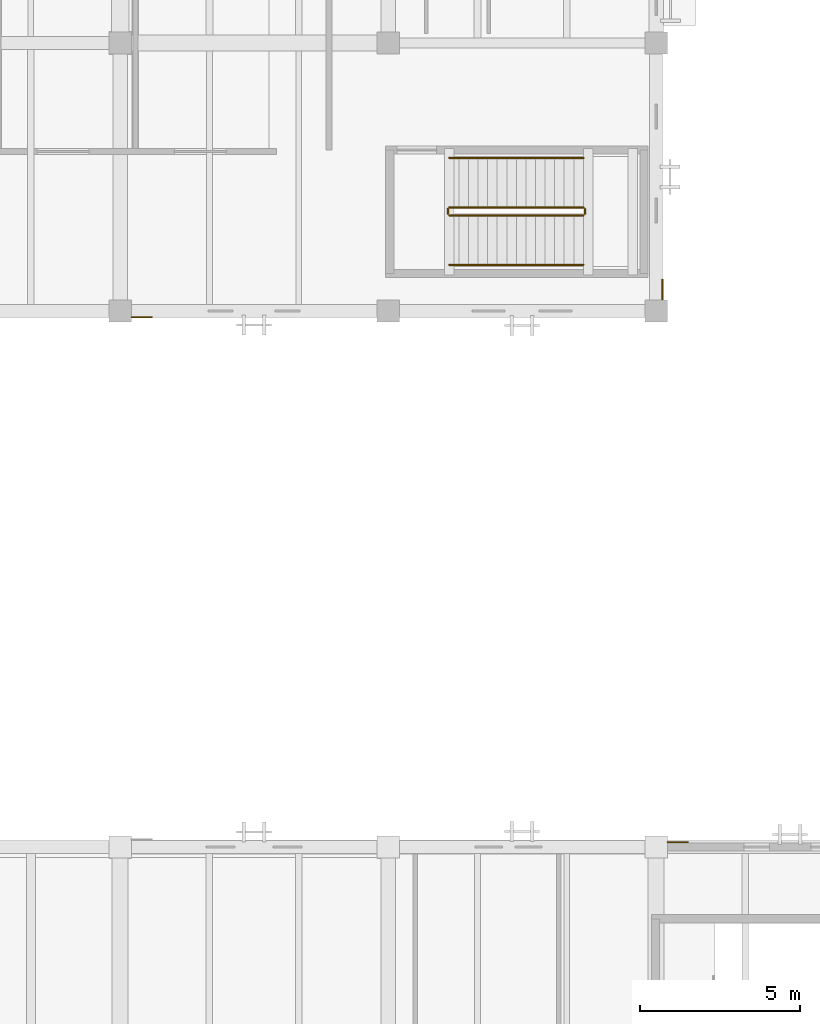
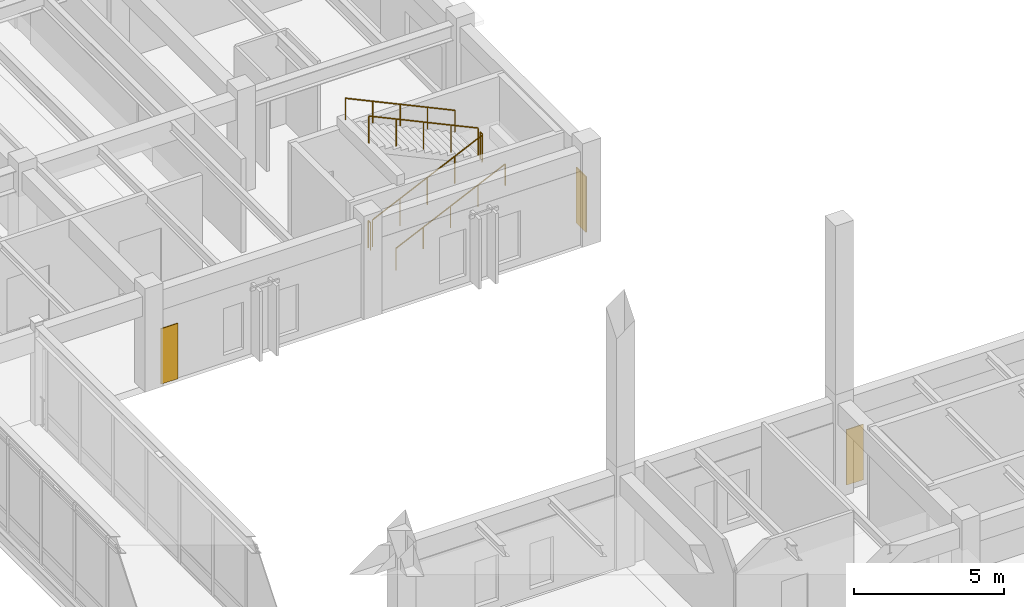
# One storey, part 129 of 132: 6 railings, 3 coverings.
"""IFC4 building model written with IfcOpenShell, lengths in metres."""

from ifc_helpers import new_model, si_unit, direction, frame, origin, origin_2d, place, context, subcontext, project, spatial, polyline, circle, outline, extrude, material, layer, layer_set, type_object, element, save


model = new_model("IFC4")

# Units and contexts
model_context = context("Model", 3, precision=1e-05, world=origin(), true_north=direction((0.0, 1.0)))
body_context = subcontext(model_context, "Body", "Model", "MODEL_VIEW")
ifc_project = project(units=[si_unit("LENGTHUNIT", "METRE"), si_unit("AREAUNIT", "SQUARE_METRE"), si_unit("VOLUMEUNIT", "CUBIC_METRE"), si_unit("PLANEANGLEUNIT", "RADIAN"), si_unit("MASSUNIT", "GRAM", prefix="KILO")], contexts=[model_context])

# Site, building, storey
site_placement = place(None, origin())
site = spatial("IfcSite", under=ifc_project, at=site_placement, CompositionType="ELEMENT")
building_placement = place(site_placement, origin())
building = spatial("IfcBuilding", under=site, at=building_placement, Name="Cumbredor Promenade Congress Hotel", CompositionType="ELEMENT")
storey_placement = place(building_placement, frame((0.0, 0.0, 7.56005859375)))
storey = spatial("IfcBuildingStorey", under=building, at=storey_placement, Name="L02", CompositionType="ELEMENT", Elevation=7.56005859375)

# Covering
ifc_material_1 = material(Name="Precast concrete C40/50", Category="concrete")
ifc_layer_1 = layer(ifc_material_1, 0.044921875, Name="Precast concrete C40/50", Category="concrete")
ifc_layer_set_1 = layer_set([ifc_layer_1], Name="Precast concrete C40/50")
covering_type_1 = type_object("IfcCoveringType", Name="Board-Formed Architectural Cladding Panel 45mm", PredefinedType="CLADDING", material=ifc_layer_set_1)
covering_1_placement = place(storey_placement, origin())
element("IfcCovering", 1, at=covering_1_placement, inside=storey, type_object=covering_type_1, Name="L02 Facade Stone Cladding Pier 118", PredefinedType="CLADDING", context=body_context, shape_type="SweptSolid", body=[
    extrude(outline(polyline([(176.574951171875, 84.35107421875), (176.574951171875, 85.0009765625), (176.6201171875, 85.0009765625), (176.6201171875, 84.35107421875), (176.574951171875, 84.35107421875)])), origin(), (0.0, 0.0, 1.0), 2.25),
])

# Railings
ifc_material_2 = material(Name="Brushed stainless steel", Category="steel")
railing_type_1 = type_object("IfcRailingType", Name="Interior Void & Stair Guardrail GR-1100", PredefinedType="GUARDRAIL", material=ifc_material_2)
railing_1_placement = place(storey_placement, frame((169.919921875, 87.0, 0.139892578125)))
element("IfcRailing", 2, at=railing_1_placement, inside=storey, type_object=railing_type_1, Name="L02 ST-14 stair guard 1", PredefinedType="GUARDRAIL", context=body_context, shape_type="SweptSolid", body=[
    extrude(circle(Radius=0.02392578125, at=origin_2d()), frame((0.0, 0.0, 1.09619140625), z_axis=(0.906193905077, 0.0, 0.422862396533), x_axis=(0.0, 1.0, 0.0)), (0.0, 0.0, 1.0), 4.635009765625),
    extrude(circle(Radius=0.02099609375, at=origin_2d()), origin(), (0.0, 0.0, 1.0), 1.072021484375),
    extrude(circle(Radius=0.02099609375, at=origin_2d()), frame((1.050048828125, 0.0, 0.489990234375)), (0.0, 0.0, 1.0), 1.072021484375),
    extrude(circle(Radius=0.02099609375, at=origin_2d()), frame((2.10009765625, 0.0, 0.97998046875)), (0.0, 0.0, 1.0), 1.072021484375),
    extrude(circle(Radius=0.02099609375, at=origin_2d()), frame((3.150146484375, 0.0, 1.469970703125)), (0.0, 0.0, 1.0), 1.072021484375),
    extrude(circle(Radius=0.02099609375, at=origin_2d()), frame((4.2001953125, 0.0, 1.9599609375)), (0.0, 0.0, 1.0), 1.072021484375),
])
railing_2_placement = place(storey_placement, frame((174.169921875, 87.050048828125, 2.099853515625)))
element("IfcRailing", 3, at=railing_2_placement, inside=storey, type_object=railing_type_1, Name="L02 ST-14 stair guard 2", PredefinedType="GUARDRAIL", context=body_context, shape_type="SweptSolid", body=[
    extrude(circle(Radius=0.02392578125, at=origin_2d()), frame((0.0, 0.0, 1.09619140625), z_axis=(0.0, 1.0, 0.0), x_axis=(-1.0, 0.0, 0.0)), (0.0, 0.0, 1.0), 0.14990234375),
    extrude(circle(Radius=0.02099609375, at=origin_2d()), origin(), (0.0, 0.0, 1.0), 1.072021484375),
    extrude(circle(Radius=0.02099609375, at=origin_2d()), frame((0.0, 0.14990234375, 0.0)), (0.0, 0.0, 1.0), 1.072021484375),
])
railing_3_placement = place(storey_placement, frame((174.1201171875, 87.25, 2.239990234375)))
element("IfcRailing", 4, at=railing_3_placement, inside=storey, type_object=railing_type_1, Name="L02 ST-14 stair guard 3", PredefinedType="GUARDRAIL", context=body_context, shape_type="SweptSolid", body=[
    extrude(circle(Radius=0.02392578125, at=origin_2d()), frame((0.0, 0.0, 1.09619140625), z_axis=(-0.906193905077, 0.0, 0.422862396533), x_axis=(0.0, -1.0, 0.0)), (0.0, 0.0, 1.0), 4.635009765625),
    extrude(circle(Radius=0.02099609375, at=origin_2d()), origin(), (0.0, 0.0, 1.0), 1.072021484375),
    extrude(circle(Radius=0.02099609375, at=origin_2d()), frame((-1.050048828125, 0.0, 0.489990234375)), (0.0, 0.0, 1.0), 1.072021484375),
    extrude(circle(Radius=0.02099609375, at=origin_2d()), frame((-2.10009765625, 0.0, 0.97998046875)), (0.0, 0.0, 1.0), 1.072021484375),
    extrude(circle(Radius=0.02099609375, at=origin_2d()), frame((-3.150146484375, 0.0, 1.469970703125)), (0.0, 0.0, 1.0), 1.072021484375),
    extrude(circle(Radius=0.02099609375, at=origin_2d()), frame((-4.2001953125, 0.0, 1.9599609375)), (0.0, 0.0, 1.0), 1.072021484375),
])
railing_4_placement = place(storey_placement, frame((169.8701171875, 87.050048828125, 0.0)))
element("IfcRailing", 5, at=railing_4_placement, inside=storey, type_object=railing_type_1, Name="L02 ST-14 stair guard 4", PredefinedType="GUARDRAIL", context=body_context, shape_type="SweptSolid", body=[
    extrude(circle(Radius=0.02392578125, at=origin_2d()), frame((0.0, 0.0, 1.09619140625), z_axis=(0.0, 1.0, 0.0), x_axis=(-1.0, 0.0, 0.0)), (0.0, 0.0, 1.0), 0.14990234375),
    extrude(circle(Radius=0.02099609375, at=origin_2d()), origin(), (0.0, 0.0, 1.0), 1.072021484375),
    extrude(circle(Radius=0.02099609375, at=origin_2d()), frame((0.0, 0.14990234375, 0.0)), (0.0, 0.0, 1.0), 1.072021484375),
])
railing_type_2 = type_object("IfcRailingType", Name="Stair Pitch Handrail HR-900", PredefinedType="HANDRAIL", material=ifc_material_2)
railing_5_placement = place(storey_placement, frame((169.919921875, 85.449951171875, 0.139892578125)))
element("IfcRailing", 6, at=railing_5_placement, inside=storey, type_object=railing_type_2, Name="L02 ST-14 stair handrail 1", PredefinedType="HANDRAIL", context=body_context, shape_type="SweptSolid", body=[
    extrude(circle(Radius=0.02392578125, at=origin_2d()), frame((0.0, 0.0, 0.8759765625), z_axis=(0.906193905077, 0.0, 0.422862396533), x_axis=(0.0, 1.0, 0.0)), (0.0, 0.0, 1.0), 4.635009765625),
    extrude(circle(Radius=0.02099609375, at=origin_2d()), origin(), (0.0, 0.0, 1.0), 0.851806640625),
    extrude(circle(Radius=0.02099609375, at=origin_2d()), frame((1.050048828125, 0.0, 0.489990234375)), (0.0, 0.0, 1.0), 0.851806640625),
    extrude(circle(Radius=0.02099609375, at=origin_2d()), frame((2.10009765625, 0.0, 0.97998046875)), (0.0, 0.0, 1.0), 0.851806640625),
    extrude(circle(Radius=0.02099609375, at=origin_2d()), frame((3.150146484375, 0.0, 1.469970703125)), (0.0, 0.0, 1.0), 0.851806640625),
    extrude(circle(Radius=0.02099609375, at=origin_2d()), frame((4.2001953125, 0.0, 1.9599609375)), (0.0, 0.0, 1.0), 0.851806640625),
])
railing_6_placement = place(storey_placement, frame((174.1201171875, 88.800048828125, 2.239990234375)))
element("IfcRailing", 7, at=railing_6_placement, inside=storey, type_object=railing_type_2, Name="L02 ST-14 stair handrail 2", PredefinedType="HANDRAIL", context=body_context, shape_type="SweptSolid", body=[
    extrude(circle(Radius=0.02392578125, at=origin_2d()), frame((0.0, 0.0, 0.8759765625), z_axis=(-0.906193905077, 0.0, 0.422862396533), x_axis=(0.0, -1.0, 0.0)), (0.0, 0.0, 1.0), 4.635009765625),
    extrude(circle(Radius=0.02099609375, at=origin_2d()), origin(), (0.0, 0.0, 1.0), 0.851806640625),
    extrude(circle(Radius=0.02099609375, at=origin_2d()), frame((-1.050048828125, 0.0, 0.489990234375)), (0.0, 0.0, 1.0), 0.851806640625),
    extrude(circle(Radius=0.02099609375, at=origin_2d()), frame((-2.10009765625, 0.0, 0.97998046875)), (0.0, 0.0, 1.0), 0.851806640625),
    extrude(circle(Radius=0.02099609375, at=origin_2d()), frame((-3.150146484375, 0.0, 1.469970703125)), (0.0, 0.0, 1.0), 0.851806640625),
    extrude(circle(Radius=0.02099609375, at=origin_2d()), frame((-4.2001953125, 0.0, 1.9599609375)), (0.0, 0.0, 1.0), 0.851806640625),
])

# Coverings
ifc_material_3 = material(Name="Volcanic andesite ashlar cladding", Category="masonry")
ifc_layer_2 = layer(ifc_material_3, 0.034912109375, Name="Volcanic andesite ashlar cladding", Category="masonry")
ifc_layer_set_2 = layer_set([ifc_layer_2], Name="Volcanic andesite ashlar cladding")
covering_type_2 = type_object("IfcCoveringType", Name="Volcanic Andesite Ashlar Rainscreen Cladding 35mm", PredefinedType="CLADDING", material=ifc_layer_set_2)
covering_2_placement = place(storey_placement, origin())
element("IfcCovering", 8, at=covering_2_placement, inside=storey, type_object=covering_type_2, Name="L02 Facade Stone Cladding Pier 105", PredefinedType="CLADDING", context=body_context, shape_type="SweptSolid", body=[
    extrude(outline(polyline([(176.7509765625, 67.330078125), (177.40087890625, 67.330078125), (177.40087890625, 67.364990234375), (176.7509765625, 67.364990234375), (176.7509765625, 67.330078125)])), origin(), (0.0, 0.0, 1.0), 2.25),
])
covering_3_placement = place(storey_placement, origin())
element("IfcCovering", 9, at=covering_3_placement, inside=storey, type_object=covering_type_2, Name="L02 Facade Stone Cladding Pier 111", PredefinedType="CLADDING", context=body_context, shape_type="SweptSolid", body=[
    extrude(outline(polyline([(159.950927734375, 83.824951171875), (160.60107421875, 83.824951171875), (160.60107421875, 83.7900390625), (159.950927734375, 83.7900390625), (159.950927734375, 83.824951171875)])), origin(), (0.0, 0.0, 1.0), 2.25),
])

save(model, "model.ifc")
